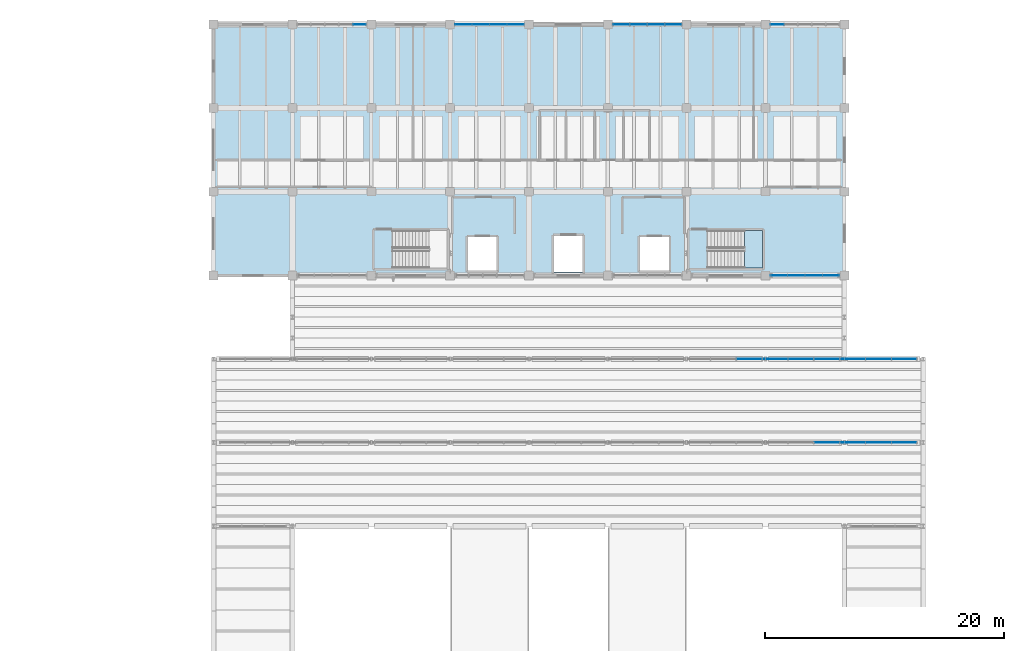
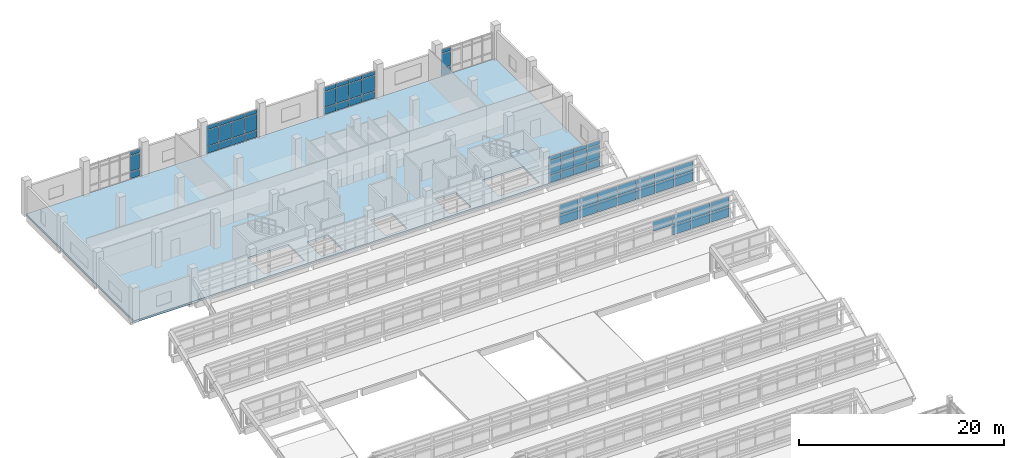
# One storey, part 74 of 92: 63 plates, 2 slabs, 8 elements without a shape of their own.
"""IFC4 building model written with IfcOpenShell, lengths in metres."""

from ifc_helpers import new_model, si_unit, direction, frame, origin, origin_2d, place, context, subcontext, project, spatial, polyline, rectangle, outline, extrude, material, layer, layer_set, type_object, element, aggregate, save


model = new_model("IFC4")

# Units and contexts
model_context = context("Model", 3, precision=1e-05, world=origin(), true_north=direction((0.0, 1.0)))
body_context = subcontext(model_context, "Body", "Model", "MODEL_VIEW")
ifc_project = project(units=[si_unit("LENGTHUNIT", "METRE"), si_unit("AREAUNIT", "SQUARE_METRE"), si_unit("VOLUMEUNIT", "CUBIC_METRE"), si_unit("PLANEANGLEUNIT", "RADIAN"), si_unit("MASSUNIT", "GRAM", prefix="KILO")], contexts=[model_context])

# Site, building, storey
site_placement = place(None, origin())
site = spatial("IfcSite", under=ifc_project, at=site_placement, CompositionType="ELEMENT")
building_placement = place(site_placement, origin())
building = spatial("IfcBuilding", under=site, at=building_placement, Name="Ciguamira Faculty of Natural Sciences", CompositionType="ELEMENT")
storey_placement = place(building_placement, frame((0.0, 0.0, 16.800048828125)))
storey = spatial("IfcBuildingStorey", under=building, at=storey_placement, Name="L04", CompositionType="ELEMENT", Elevation=16.800048828125)

# Curtain wall, plates
ifc_material_1 = material(Name="Anodized aluminium curtain wall", Category="aluminium")
curtain_wall_type_1 = type_object("IfcCurtainWallType", Name="CurtainWall_CW-05", PredefinedType="USERDEFINED", material=ifc_material_1)
curtain_wall_1_placement = place(storey_placement, origin())
curtain_wall_1 = element("IfcCurtainWall", 1, at=curtain_wall_1_placement, inside=storey, type_object=curtain_wall_type_1, Name="L04 unitised curtain wall 0125", ObjectType="UNITISED CURTAIN WALL", PredefinedType="USERDEFINED")
ifc_material_2 = material(Name="Low-E laminated solar glass", Category="glass")
ifc_layer_1 = layer(ifc_material_2, 0.028076171875, Name="Low-E laminated solar glass")
ifc_layer_set_1 = layer_set([ifc_layer_1], Name="Low-E laminated solar glass")
plate_type_1 = type_object("IfcPlateType", Name="CWPanel_CWP-01", PredefinedType="CURTAIN_PANEL", material=ifc_layer_set_1)
plate_1_placement = place(storey_placement, frame((104.623779296875, 94.0, 0.070068359375), z_axis=(0.0, 0.0, 1.0), x_axis=(1.0, 0.0, 0.0)))
plate_1 = element("IfcPlate", 2, at=plate_1_placement, type_object=plate_type_1, Name="CW-05 panel 1.1", PredefinedType="CURTAIN_PANEL", context=body_context, shape_type="SweptSolid", body=[
    extrude(rectangle(XDim=1.357421875, YDim=0.028076171875, at=origin_2d()), origin(), (0.0, 0.0, 1.0), 0.794921875),
])
plate_2_placement = place(storey_placement, frame((104.623779296875, 94.0, 0.93505859375), z_axis=(0.0, 0.0, 1.0), x_axis=(1.0, 0.0, 0.0)))
plate_2 = element("IfcPlate", 3, at=plate_2_placement, type_object=plate_type_1, Name="CW-05 panel 1.2", PredefinedType="CURTAIN_PANEL", context=body_context, shape_type="SweptSolid", body=[
    extrude(rectangle(XDim=1.357421875, YDim=0.028076171875, at=origin_2d()), origin(), (0.0, 0.0, 1.0), 1.715087890625),
])
plate_3_placement = place(storey_placement, frame((104.623779296875, 94.0, 2.7197265625), z_axis=(0.0, 0.0, 1.0), x_axis=(1.0, 0.0, 0.0)))
plate_3 = element("IfcPlate", 4, at=plate_3_placement, type_object=plate_type_1, Name="CW-05 panel 1.3", PredefinedType="CURTAIN_PANEL", context=body_context, shape_type="SweptSolid", body=[
    extrude(rectangle(XDim=1.357421875, YDim=0.028076171875, at=origin_2d()), origin(), (0.0, 0.0, 1.0), 0.445068359375),
])
plate_4_placement = place(storey_placement, frame((106.06884765625, 94.0, 0.070068359375), z_axis=(0.0, 0.0, 1.0), x_axis=(1.0, 0.0, 0.0)))
plate_4 = element("IfcPlate", 5, at=plate_4_placement, type_object=plate_type_1, Name="CW-05 panel 2.1", PredefinedType="CURTAIN_PANEL", context=body_context, shape_type="SweptSolid", body=[
    extrude(rectangle(XDim=1.392578125, YDim=0.028076171875, at=origin_2d()), origin(), (0.0, 0.0, 1.0), 0.794921875),
])
plate_5_placement = place(storey_placement, frame((106.06884765625, 94.0, 0.93505859375), z_axis=(0.0, 0.0, 1.0), x_axis=(1.0, 0.0, 0.0)))
plate_5 = element("IfcPlate", 6, at=plate_5_placement, type_object=plate_type_1, Name="CW-05 panel 2.2", PredefinedType="CURTAIN_PANEL", context=body_context, shape_type="SweptSolid", body=[
    extrude(rectangle(XDim=1.392578125, YDim=0.028076171875, at=origin_2d()), origin(), (0.0, 0.0, 1.0), 1.715087890625),
])
plate_6_placement = place(storey_placement, frame((106.06884765625, 94.0, 2.7197265625), z_axis=(0.0, 0.0, 1.0), x_axis=(1.0, 0.0, 0.0)))
plate_6 = element("IfcPlate", 7, at=plate_6_placement, type_object=plate_type_1, Name="CW-05 panel 2.3", PredefinedType="CURTAIN_PANEL", context=body_context, shape_type="SweptSolid", body=[
    extrude(rectangle(XDim=1.392578125, YDim=0.028076171875, at=origin_2d()), origin(), (0.0, 0.0, 1.0), 0.445068359375),
])
plate_7_placement = place(storey_placement, frame((107.53125, 94.0, 0.070068359375), z_axis=(0.0, 0.0, 1.0), x_axis=(1.0, 0.0, 0.0)))
plate_7 = element("IfcPlate", 8, at=plate_7_placement, type_object=plate_type_1, Name="CW-05 panel 3.1", PredefinedType="CURTAIN_PANEL", context=body_context, shape_type="SweptSolid", body=[
    extrude(rectangle(XDim=1.392578125, YDim=0.028076171875, at=origin_2d()), origin(), (0.0, 0.0, 1.0), 0.794921875),
])
plate_8_placement = place(storey_placement, frame((107.53125, 94.0, 0.93505859375), z_axis=(0.0, 0.0, 1.0), x_axis=(1.0, 0.0, 0.0)))
plate_8 = element("IfcPlate", 9, at=plate_8_placement, type_object=plate_type_1, Name="CW-05 panel 3.2", PredefinedType="CURTAIN_PANEL", context=body_context, shape_type="SweptSolid", body=[
    extrude(rectangle(XDim=1.392578125, YDim=0.028076171875, at=origin_2d()), origin(), (0.0, 0.0, 1.0), 1.715087890625),
])
plate_9_placement = place(storey_placement, frame((107.53125, 94.0, 2.7197265625), z_axis=(0.0, 0.0, 1.0), x_axis=(1.0, 0.0, 0.0)))
plate_9 = element("IfcPlate", 10, at=plate_9_placement, type_object=plate_type_1, Name="CW-05 panel 3.3", PredefinedType="CURTAIN_PANEL", context=body_context, shape_type="SweptSolid", body=[
    extrude(rectangle(XDim=1.392578125, YDim=0.028076171875, at=origin_2d()), origin(), (0.0, 0.0, 1.0), 0.445068359375),
])
plate_10_placement = place(storey_placement, frame((108.976318359375, 94.0, 0.070068359375), z_axis=(0.0, 0.0, 1.0), x_axis=(1.0, 0.0, 0.0)))
plate_10 = element("IfcPlate", 11, at=plate_10_placement, type_object=plate_type_1, Name="CW-05 panel 4.1", PredefinedType="CURTAIN_PANEL", context=body_context, shape_type="SweptSolid", body=[
    extrude(rectangle(XDim=1.357421875, YDim=0.028076171875, at=origin_2d()), origin(), (0.0, 0.0, 1.0), 0.794921875),
])
plate_11_placement = place(storey_placement, frame((108.976318359375, 94.0, 0.93505859375), z_axis=(0.0, 0.0, 1.0), x_axis=(1.0, 0.0, 0.0)))
plate_11 = element("IfcPlate", 12, at=plate_11_placement, type_object=plate_type_1, Name="CW-05 panel 4.2", PredefinedType="CURTAIN_PANEL", context=body_context, shape_type="SweptSolid", body=[
    extrude(rectangle(XDim=1.357421875, YDim=0.028076171875, at=origin_2d()), origin(), (0.0, 0.0, 1.0), 1.715087890625),
])
plate_12_placement = place(storey_placement, frame((108.976318359375, 94.0, 2.7197265625), z_axis=(0.0, 0.0, 1.0), x_axis=(1.0, 0.0, 0.0)))
plate_12 = element("IfcPlate", 13, at=plate_12_placement, type_object=plate_type_1, Name="CW-05 panel 4.3", PredefinedType="CURTAIN_PANEL", context=body_context, shape_type="SweptSolid", body=[
    extrude(rectangle(XDim=1.357421875, YDim=0.028076171875, at=origin_2d()), origin(), (0.0, 0.0, 1.0), 0.445068359375),
])
aggregate(curtain_wall_1, [plate_1, plate_2, plate_3, plate_4, plate_5, plate_6, plate_7, plate_8, plate_9, plate_10, plate_11, plate_12])

curtain_wall_type_2 = type_object("IfcCurtainWallType", Name="CurtainWall_CW-07", PredefinedType="USERDEFINED", material=ifc_material_1)
curtain_wall_2_placement = place(storey_placement, origin())
curtain_wall_2 = element("IfcCurtainWall", 14, at=curtain_wall_2_placement, inside=storey, type_object=curtain_wall_type_2, Name="L04 unitised curtain wall 0127", ObjectType="UNITISED CURTAIN WALL", PredefinedType="USERDEFINED")
plate_13_placement = place(storey_placement, frame((78.22119140625, 115.0, 0.059814453125), z_axis=(0.0, 0.0, 1.0), x_axis=(1.0, 0.0, 0.0)))
plate_13 = element("IfcPlate", 15, at=plate_13_placement, type_object=plate_type_1, Name="CW-07 panel 1.1", PredefinedType="CURTAIN_PANEL", context=body_context, shape_type="SweptSolid", body=[
    extrude(rectangle(XDim=1.37255859375, YDim=0.028076171875, at=origin_2d()), origin(), (0.0, 0.0, 1.0), 0.81005859375),
])
plate_14_placement = place(storey_placement, frame((78.22119140625, 115.0, 0.929931640625), z_axis=(0.0, 0.0, 1.0), x_axis=(1.0, 0.0, 0.0)))
plate_14 = element("IfcPlate", 16, at=plate_14_placement, type_object=plate_type_1, Name="CW-07 panel 1.2", PredefinedType="CURTAIN_PANEL", context=body_context, shape_type="SweptSolid", body=[
    extrude(rectangle(XDim=1.37255859375, YDim=0.028076171875, at=origin_2d()), origin(), (0.0, 0.0, 1.0), 1.875),
])
plate_15_placement = place(storey_placement, frame((78.22119140625, 115.0, 2.864990234375), z_axis=(0.0, 0.0, 1.0), x_axis=(1.0, 0.0, 0.0)))
plate_15 = element("IfcPlate", 17, at=plate_15_placement, type_object=plate_type_1, Name="CW-07 panel 1.3", PredefinedType="CURTAIN_PANEL", context=body_context, shape_type="SweptSolid", body=[
    extrude(rectangle(XDim=1.37255859375, YDim=0.028076171875, at=origin_2d()), origin(), (0.0, 0.0, 1.0), 0.4599609375),
])
plate_16_placement = place(storey_placement, frame((79.668701171875, 115.0, 0.059814453125), z_axis=(0.0, 0.0, 1.0), x_axis=(1.0, 0.0, 0.0)))
plate_16 = element("IfcPlate", 18, at=plate_16_placement, type_object=plate_type_1, Name="CW-07 panel 2.1", PredefinedType="CURTAIN_PANEL", context=body_context, shape_type="SweptSolid", body=[
    extrude(rectangle(XDim=1.402587890625, YDim=0.028076171875, at=origin_2d()), origin(), (0.0, 0.0, 1.0), 0.81005859375),
])
plate_17_placement = place(storey_placement, frame((79.668701171875, 115.0, 0.929931640625), z_axis=(0.0, 0.0, 1.0), x_axis=(1.0, 0.0, 0.0)))
plate_17 = element("IfcPlate", 19, at=plate_17_placement, type_object=plate_type_1, Name="CW-07 panel 2.2", PredefinedType="CURTAIN_PANEL", context=body_context, shape_type="SweptSolid", body=[
    extrude(rectangle(XDim=1.402587890625, YDim=0.028076171875, at=origin_2d()), origin(), (0.0, 0.0, 1.0), 1.875),
])
plate_18_placement = place(storey_placement, frame((79.668701171875, 115.0, 2.864990234375), z_axis=(0.0, 0.0, 1.0), x_axis=(1.0, 0.0, 0.0)))
plate_18 = element("IfcPlate", 20, at=plate_18_placement, type_object=plate_type_1, Name="CW-07 panel 2.3", PredefinedType="CURTAIN_PANEL", context=body_context, shape_type="SweptSolid", body=[
    extrude(rectangle(XDim=1.402587890625, YDim=0.028076171875, at=origin_2d()), origin(), (0.0, 0.0, 1.0), 0.4599609375),
])
plate_19_placement = place(storey_placement, frame((81.13134765625, 115.0, 0.059814453125), z_axis=(0.0, 0.0, 1.0), x_axis=(1.0, 0.0, 0.0)))
plate_19 = element("IfcPlate", 21, at=plate_19_placement, type_object=plate_type_1, Name="CW-07 panel 3.1", PredefinedType="CURTAIN_PANEL", context=body_context, shape_type="SweptSolid", body=[
    extrude(rectangle(XDim=1.402587890625, YDim=0.028076171875, at=origin_2d()), origin(), (0.0, 0.0, 1.0), 0.81005859375),
])
plate_20_placement = place(storey_placement, frame((81.13134765625, 115.0, 0.929931640625), z_axis=(0.0, 0.0, 1.0), x_axis=(1.0, 0.0, 0.0)))
plate_20 = element("IfcPlate", 22, at=plate_20_placement, type_object=plate_type_1, Name="CW-07 panel 3.2", PredefinedType="CURTAIN_PANEL", context=body_context, shape_type="SweptSolid", body=[
    extrude(rectangle(XDim=1.402587890625, YDim=0.028076171875, at=origin_2d()), origin(), (0.0, 0.0, 1.0), 1.875),
])
plate_21_placement = place(storey_placement, frame((81.13134765625, 115.0, 2.864990234375), z_axis=(0.0, 0.0, 1.0), x_axis=(1.0, 0.0, 0.0)))
plate_21 = element("IfcPlate", 23, at=plate_21_placement, type_object=plate_type_1, Name="CW-07 panel 3.3", PredefinedType="CURTAIN_PANEL", context=body_context, shape_type="SweptSolid", body=[
    extrude(rectangle(XDim=1.402587890625, YDim=0.028076171875, at=origin_2d()), origin(), (0.0, 0.0, 1.0), 0.4599609375),
])
plate_22_placement = place(storey_placement, frame((82.578857421875, 115.0, 0.059814453125), z_axis=(0.0, 0.0, 1.0), x_axis=(1.0, 0.0, 0.0)))
plate_22 = element("IfcPlate", 24, at=plate_22_placement, type_object=plate_type_1, Name="CW-07 panel 4.1", PredefinedType="CURTAIN_PANEL", context=body_context, shape_type="SweptSolid", body=[
    extrude(rectangle(XDim=1.37255859375, YDim=0.028076171875, at=origin_2d()), origin(), (0.0, 0.0, 1.0), 0.81005859375),
])
plate_23_placement = place(storey_placement, frame((82.578857421875, 115.0, 0.929931640625), z_axis=(0.0, 0.0, 1.0), x_axis=(1.0, 0.0, 0.0)))
plate_23 = element("IfcPlate", 25, at=plate_23_placement, type_object=plate_type_1, Name="CW-07 panel 4.2", PredefinedType="CURTAIN_PANEL", context=body_context, shape_type="SweptSolid", body=[
    extrude(rectangle(XDim=1.37255859375, YDim=0.028076171875, at=origin_2d()), origin(), (0.0, 0.0, 1.0), 1.875),
])
plate_24_placement = place(storey_placement, frame((82.578857421875, 115.0, 2.864990234375), z_axis=(0.0, 0.0, 1.0), x_axis=(1.0, 0.0, 0.0)))
plate_24 = element("IfcPlate", 26, at=plate_24_placement, type_object=plate_type_1, Name="CW-07 panel 4.3", PredefinedType="CURTAIN_PANEL", context=body_context, shape_type="SweptSolid", body=[
    extrude(rectangle(XDim=1.37255859375, YDim=0.028076171875, at=origin_2d()), origin(), (0.0, 0.0, 1.0), 0.4599609375),
])
aggregate(curtain_wall_2, [plate_13, plate_14, plate_15, plate_16, plate_17, plate_18, plate_19, plate_20, plate_21, plate_22, plate_23, plate_24])

curtain_wall_type_3 = type_object("IfcCurtainWallType", Name="CurtainWall_CW-09", PredefinedType="USERDEFINED", material=ifc_material_1)
curtain_wall_3_placement = place(storey_placement, origin())
curtain_wall_3 = element("IfcCurtainWall", 27, at=curtain_wall_3_placement, inside=storey, type_object=curtain_wall_type_3, Name="L04 unitised curtain wall 0129", ObjectType="UNITISED CURTAIN WALL", PredefinedType="USERDEFINED")
plate_25_placement = place(storey_placement, frame((104.47998046875, 115.0, 0.080078125), z_axis=(0.0, 0.0, 1.0), x_axis=(1.0, 0.0, 0.0)))
plate_25 = element("IfcPlate", 28, at=plate_25_placement, type_object=plate_type_1, Name="CW-09 panel 1.1", PredefinedType="CURTAIN_PANEL", context=body_context, shape_type="SweptSolid", body=[
    extrude(rectangle(XDim=1.050048828125, YDim=0.028076171875, at=origin_2d()), origin(), (0.0, 0.0, 1.0), 0.780029296875),
])
plate_26_placement = place(storey_placement, frame((104.47998046875, 115.0, 0.93994140625), z_axis=(0.0, 0.0, 1.0), x_axis=(1.0, 0.0, 0.0)))
plate_26 = element("IfcPlate", 29, at=plate_26_placement, type_object=plate_type_1, Name="CW-09 panel 1.2", PredefinedType="CURTAIN_PANEL", context=body_context, shape_type="SweptSolid", body=[
    extrude(rectangle(XDim=1.050048828125, YDim=0.028076171875, at=origin_2d()), origin(), (0.0, 0.0, 1.0), 1.705078125),
])
plate_27_placement = place(storey_placement, frame((104.47998046875, 115.0, 2.72509765625), z_axis=(0.0, 0.0, 1.0), x_axis=(1.0, 0.0, 0.0)))
plate_27 = element("IfcPlate", 30, at=plate_27_placement, type_object=plate_type_1, Name="CW-09 panel 1.3", PredefinedType="CURTAIN_PANEL", context=body_context, shape_type="SweptSolid", body=[
    extrude(rectangle(XDim=1.050048828125, YDim=0.028076171875, at=origin_2d()), origin(), (0.0, 0.0, 1.0), 0.429931640625),
])
aggregate(curtain_wall_3, [plate_25, plate_26, plate_27])

curtain_wall_type_4 = type_object("IfcCurtainWallType", Name="CurtainWall_CW-06", PredefinedType="USERDEFINED", material=ifc_material_1)
curtain_wall_4_placement = place(storey_placement, origin())
curtain_wall_4 = element("IfcCurtainWall", 31, at=curtain_wall_4_placement, inside=storey, type_object=curtain_wall_type_4, Name="L04 unitised curtain wall 0126", ObjectType="UNITISED CURTAIN WALL", PredefinedType="USERDEFINED")
ifc_layer_2 = layer(ifc_material_2, 0.035888671875, Name="Low-E laminated solar glass")
ifc_layer_set_2 = layer_set([ifc_layer_2], Name="Low-E laminated solar glass")
plate_type_2 = type_object("IfcPlateType", Name="CWPanel_CWP-02", PredefinedType="CURTAIN_PANEL", material=ifc_layer_set_2)
plate_28_placement = place(storey_placement, frame((69.52001953125, 115.0, 0.080078125), z_axis=(0.0, 0.0, 1.0), x_axis=(1.0, 0.0, 0.0)))
plate_28 = element("IfcPlate", 32, at=plate_28_placement, type_object=plate_type_2, Name="CW-06 panel 5.1", PredefinedType="CURTAIN_PANEL", context=body_context, shape_type="SweptSolid", body=[
    extrude(rectangle(XDim=1.050048828125, YDim=0.035888671875, at=origin_2d()), origin(), (0.0, 0.0, 1.0), 0.780029296875),
])
plate_29_placement = place(storey_placement, frame((69.52001953125, 115.0, 0.93994140625), z_axis=(0.0, 0.0, 1.0), x_axis=(1.0, 0.0, 0.0)))
plate_29 = element("IfcPlate", 33, at=plate_29_placement, type_object=plate_type_2, Name="CW-06 panel 5.2", PredefinedType="CURTAIN_PANEL", context=body_context, shape_type="SweptSolid", body=[
    extrude(rectangle(XDim=1.050048828125, YDim=0.035888671875, at=origin_2d()), origin(), (0.0, 0.0, 1.0), 1.8349609375),
])
plate_30_placement = place(storey_placement, frame((69.52001953125, 115.0, 2.85498046875), z_axis=(0.0, 0.0, 1.0), x_axis=(1.0, 0.0, 0.0)))
plate_30 = element("IfcPlate", 34, at=plate_30_placement, type_object=plate_type_2, Name="CW-06 panel 5.3", PredefinedType="CURTAIN_PANEL", context=body_context, shape_type="SweptSolid", body=[
    extrude(rectangle(XDim=1.050048828125, YDim=0.035888671875, at=origin_2d()), origin(), (0.0, 0.0, 1.0), 0.429931640625),
])
aggregate(curtain_wall_4, [plate_28, plate_29, plate_30])

curtain_wall_type_5 = type_object("IfcCurtainWallType", Name="CurtainWall_CW-08", PredefinedType="USERDEFINED", material=ifc_material_1)
curtain_wall_5_placement = place(storey_placement, origin())
curtain_wall_5 = element("IfcCurtainWall", 35, at=curtain_wall_5_placement, inside=storey, type_object=curtain_wall_type_5, Name="L04 unitised curtain wall 0128", ObjectType="UNITISED CURTAIN WALL", PredefinedType="USERDEFINED")
plate_31_placement = place(storey_placement, frame((91.423828125, 115.0, 0.070068359375), z_axis=(0.0, 0.0, 1.0), x_axis=(1.0, 0.0, 0.0)))
plate_31 = element("IfcPlate", 36, at=plate_31_placement, type_object=plate_type_2, Name="CW-08 panel 1.1", PredefinedType="CURTAIN_PANEL", context=body_context, shape_type="SweptSolid", body=[
    extrude(rectangle(XDim=1.357421875, YDim=0.035888671875, at=origin_2d()), origin(), (0.0, 0.0, 1.0), 0.794921875),
])
plate_32_placement = place(storey_placement, frame((91.423828125, 115.0, 0.93505859375), z_axis=(0.0, 0.0, 1.0), x_axis=(1.0, 0.0, 0.0)))
plate_32 = element("IfcPlate", 37, at=plate_32_placement, type_object=plate_type_2, Name="CW-08 panel 1.2", PredefinedType="CURTAIN_PANEL", context=body_context, shape_type="SweptSolid", body=[
    extrude(rectangle(XDim=1.357421875, YDim=0.035888671875, at=origin_2d()), origin(), (0.0, 0.0, 1.0), 1.824951171875),
])
plate_33_placement = place(storey_placement, frame((91.423828125, 115.0, 2.830078125), z_axis=(0.0, 0.0, 1.0), x_axis=(1.0, 0.0, 0.0)))
plate_33 = element("IfcPlate", 38, at=plate_33_placement, type_object=plate_type_2, Name="CW-08 panel 1.3", PredefinedType="CURTAIN_PANEL", context=body_context, shape_type="SweptSolid", body=[
    extrude(rectangle(XDim=1.357421875, YDim=0.035888671875, at=origin_2d()), origin(), (0.0, 0.0, 1.0), 0.445068359375),
])
plate_34_placement = place(storey_placement, frame((92.86865234375, 115.0, 0.070068359375), z_axis=(0.0, 0.0, 1.0), x_axis=(1.0, 0.0, 0.0)))
plate_34 = element("IfcPlate", 39, at=plate_34_placement, type_object=plate_type_2, Name="CW-08 panel 2.1", PredefinedType="CURTAIN_PANEL", context=body_context, shape_type="SweptSolid", body=[
    extrude(rectangle(XDim=1.392578125, YDim=0.035888671875, at=origin_2d()), origin(), (0.0, 0.0, 1.0), 0.794921875),
])
plate_35_placement = place(storey_placement, frame((92.86865234375, 115.0, 0.93505859375), z_axis=(0.0, 0.0, 1.0), x_axis=(1.0, 0.0, 0.0)))
plate_35 = element("IfcPlate", 40, at=plate_35_placement, type_object=plate_type_2, Name="CW-08 panel 2.2", PredefinedType="CURTAIN_PANEL", context=body_context, shape_type="SweptSolid", body=[
    extrude(rectangle(XDim=1.392578125, YDim=0.035888671875, at=origin_2d()), origin(), (0.0, 0.0, 1.0), 1.824951171875),
])
plate_36_placement = place(storey_placement, frame((92.86865234375, 115.0, 2.830078125), z_axis=(0.0, 0.0, 1.0), x_axis=(1.0, 0.0, 0.0)))
plate_36 = element("IfcPlate", 41, at=plate_36_placement, type_object=plate_type_2, Name="CW-08 panel 2.3", PredefinedType="CURTAIN_PANEL", context=body_context, shape_type="SweptSolid", body=[
    extrude(rectangle(XDim=1.392578125, YDim=0.035888671875, at=origin_2d()), origin(), (0.0, 0.0, 1.0), 0.445068359375),
])
plate_37_placement = place(storey_placement, frame((94.331298828125, 115.0, 0.070068359375), z_axis=(0.0, 0.0, 1.0), x_axis=(1.0, 0.0, 0.0)))
plate_37 = element("IfcPlate", 42, at=plate_37_placement, type_object=plate_type_2, Name="CW-08 panel 3.1", PredefinedType="CURTAIN_PANEL", context=body_context, shape_type="SweptSolid", body=[
    extrude(rectangle(XDim=1.392578125, YDim=0.035888671875, at=origin_2d()), origin(), (0.0, 0.0, 1.0), 0.794921875),
])
plate_38_placement = place(storey_placement, frame((94.331298828125, 115.0, 0.93505859375), z_axis=(0.0, 0.0, 1.0), x_axis=(1.0, 0.0, 0.0)))
plate_38 = element("IfcPlate", 43, at=plate_38_placement, type_object=plate_type_2, Name="CW-08 panel 3.2", PredefinedType="CURTAIN_PANEL", context=body_context, shape_type="SweptSolid", body=[
    extrude(rectangle(XDim=1.392578125, YDim=0.035888671875, at=origin_2d()), origin(), (0.0, 0.0, 1.0), 1.824951171875),
])
plate_39_placement = place(storey_placement, frame((94.331298828125, 115.0, 2.830078125), z_axis=(0.0, 0.0, 1.0), x_axis=(1.0, 0.0, 0.0)))
plate_39 = element("IfcPlate", 44, at=plate_39_placement, type_object=plate_type_2, Name="CW-08 panel 3.3", PredefinedType="CURTAIN_PANEL", context=body_context, shape_type="SweptSolid", body=[
    extrude(rectangle(XDim=1.392578125, YDim=0.035888671875, at=origin_2d()), origin(), (0.0, 0.0, 1.0), 0.445068359375),
])
plate_40_placement = place(storey_placement, frame((95.7763671875, 115.0, 0.070068359375), z_axis=(0.0, 0.0, 1.0), x_axis=(1.0, 0.0, 0.0)))
plate_40 = element("IfcPlate", 45, at=plate_40_placement, type_object=plate_type_2, Name="CW-08 panel 4.1", PredefinedType="CURTAIN_PANEL", context=body_context, shape_type="SweptSolid", body=[
    extrude(rectangle(XDim=1.357421875, YDim=0.035888671875, at=origin_2d()), origin(), (0.0, 0.0, 1.0), 0.794921875),
])
plate_41_placement = place(storey_placement, frame((95.7763671875, 115.0, 0.93505859375), z_axis=(0.0, 0.0, 1.0), x_axis=(1.0, 0.0, 0.0)))
plate_41 = element("IfcPlate", 46, at=plate_41_placement, type_object=plate_type_2, Name="CW-08 panel 4.2", PredefinedType="CURTAIN_PANEL", context=body_context, shape_type="SweptSolid", body=[
    extrude(rectangle(XDim=1.357421875, YDim=0.035888671875, at=origin_2d()), origin(), (0.0, 0.0, 1.0), 1.824951171875),
])
plate_42_placement = place(storey_placement, frame((95.7763671875, 115.0, 2.830078125), z_axis=(0.0, 0.0, 1.0), x_axis=(1.0, 0.0, 0.0)))
plate_42 = element("IfcPlate", 47, at=plate_42_placement, type_object=plate_type_2, Name="CW-08 panel 4.3", PredefinedType="CURTAIN_PANEL", context=body_context, shape_type="SweptSolid", body=[
    extrude(rectangle(XDim=1.357421875, YDim=0.035888671875, at=origin_2d()), origin(), (0.0, 0.0, 1.0), 0.445068359375),
])
aggregate(curtain_wall_5, [plate_31, plate_32, plate_33, plate_34, plate_35, plate_36, plate_37, plate_38, plate_39, plate_40, plate_41, plate_42])

curtain_wall_6_placement = place(storey_placement, origin())
curtain_wall_6 = element("IfcCurtainWall", 48, at=curtain_wall_6_placement, inside=storey, type_object=curtain_wall_type_2, Name="V4 north-light wave 5 clerestory glazing 1", ObjectType="UNITISED CURTAIN WALL", PredefinedType="USERDEFINED")
plate_43_placement = place(storey_placement, frame((108.629638671875, 80.0, 1.534912109375), z_axis=(0.0, 0.0, 1.0), x_axis=(1.0, 0.0, 0.0)))
plate_43 = element("IfcPlate", 49, at=plate_43_placement, type_object=plate_type_2, Name="CW-07 panel 24.2", PredefinedType="CURTAIN_PANEL", context=body_context, shape_type="SweptSolid", body=[
    extrude(rectangle(XDim=2.093017578125, YDim=0.035888671875, at=origin_2d()), origin(), (0.0, 0.0, 1.0), 1.14501953125),
])
plate_44_placement = place(storey_placement, frame((110.79248046875, 80.0, 0.31982421875), z_axis=(0.0, 0.0, 1.0), x_axis=(1.0, 0.0, 0.0)))
plate_44 = element("IfcPlate", 50, at=plate_44_placement, type_object=plate_type_2, Name="CW-07 panel 25.1", PredefinedType="CURTAIN_PANEL", context=body_context, shape_type="SweptSolid", body=[
    extrude(rectangle(XDim=2.093017578125, YDim=0.035888671875, at=origin_2d()), origin(), (0.0, 0.0, 1.0), 1.14501953125),
])
plate_45_placement = place(storey_placement, frame((110.79248046875, 80.0, 1.534912109375), z_axis=(0.0, 0.0, 1.0), x_axis=(1.0, 0.0, 0.0)))
plate_45 = element("IfcPlate", 51, at=plate_45_placement, type_object=plate_type_2, Name="CW-07 panel 25.2", PredefinedType="CURTAIN_PANEL", context=body_context, shape_type="SweptSolid", body=[
    extrude(rectangle(XDim=2.093017578125, YDim=0.035888671875, at=origin_2d()), origin(), (0.0, 0.0, 1.0), 1.14501953125),
])
plate_46_placement = place(storey_placement, frame((112.95556640625, 80.0, 0.31982421875), z_axis=(0.0, 0.0, 1.0), x_axis=(1.0, 0.0, 0.0)))
plate_46 = element("IfcPlate", 52, at=plate_46_placement, type_object=plate_type_2, Name="CW-07 panel 26.1", PredefinedType="CURTAIN_PANEL", context=body_context, shape_type="SweptSolid", body=[
    extrude(rectangle(XDim=2.093017578125, YDim=0.035888671875, at=origin_2d()), origin(), (0.0, 0.0, 1.0), 1.14501953125),
])
plate_47_placement = place(storey_placement, frame((112.95556640625, 80.0, 1.534912109375), z_axis=(0.0, 0.0, 1.0), x_axis=(1.0, 0.0, 0.0)))
plate_47 = element("IfcPlate", 53, at=plate_47_placement, type_object=plate_type_2, Name="CW-07 panel 26.2", PredefinedType="CURTAIN_PANEL", context=body_context, shape_type="SweptSolid", body=[
    extrude(rectangle(XDim=2.093017578125, YDim=0.035888671875, at=origin_2d()), origin(), (0.0, 0.0, 1.0), 1.14501953125),
])
plate_48_placement = place(storey_placement, frame((115.10107421875, 80.0, 0.31982421875), z_axis=(0.0, 0.0, 1.0), x_axis=(1.0, 0.0, 0.0)))
plate_48 = element("IfcPlate", 54, at=plate_48_placement, type_object=plate_type_2, Name="CW-07 panel 27.1", PredefinedType="CURTAIN_PANEL", context=body_context, shape_type="SweptSolid", body=[
    extrude(rectangle(XDim=2.057861328125, YDim=0.035888671875, at=origin_2d()), origin(), (0.0, 0.0, 1.0), 1.14501953125),
])
plate_49_placement = place(storey_placement, frame((115.10107421875, 80.0, 1.534912109375), z_axis=(0.0, 0.0, 1.0), x_axis=(1.0, 0.0, 0.0)))
plate_49 = element("IfcPlate", 55, at=plate_49_placement, type_object=plate_type_2, Name="CW-07 panel 27.2", PredefinedType="CURTAIN_PANEL", context=body_context, shape_type="SweptSolid", body=[
    extrude(rectangle(XDim=2.057861328125, YDim=0.035888671875, at=origin_2d()), origin(), (0.0, 0.0, 1.0), 1.14501953125),
])
aggregate(curtain_wall_6, [plate_43, plate_44, plate_45, plate_46, plate_47, plate_48, plate_49])

curtain_wall_7_placement = place(storey_placement, origin())
curtain_wall_7 = element("IfcCurtainWall", 56, at=curtain_wall_7_placement, inside=storey, type_object=curtain_wall_type_5, Name="V4 north-light wave 6 clerestory glazing 1", ObjectType="UNITISED CURTAIN WALL", PredefinedType="USERDEFINED")
plate_50_placement = place(storey_placement, frame((102.140625, 87.0, 0.31982421875), z_axis=(0.0, 0.0, 1.0), x_axis=(1.0, 0.0, 0.0)))
plate_50 = element("IfcPlate", 57, at=plate_50_placement, type_object=plate_type_2, Name="CW-08 panel 21.1", PredefinedType="CURTAIN_PANEL", context=body_context, shape_type="SweptSolid", body=[
    extrude(rectangle(XDim=2.093017578125, YDim=0.035888671875, at=origin_2d()), origin(), (0.0, 0.0, 1.0), 1.14501953125),
])
plate_51_placement = place(storey_placement, frame((102.140625, 87.0, 1.534912109375), z_axis=(0.0, 0.0, 1.0), x_axis=(1.0, 0.0, 0.0)))
plate_51 = element("IfcPlate", 58, at=plate_51_placement, type_object=plate_type_2, Name="CW-08 panel 21.2", PredefinedType="CURTAIN_PANEL", context=body_context, shape_type="SweptSolid", body=[
    extrude(rectangle(XDim=2.093017578125, YDim=0.035888671875, at=origin_2d()), origin(), (0.0, 0.0, 1.0), 1.14501953125),
])
plate_52_placement = place(storey_placement, frame((104.3037109375, 87.0, 0.31982421875), z_axis=(0.0, 0.0, 1.0), x_axis=(1.0, 0.0, 0.0)))
plate_52 = element("IfcPlate", 59, at=plate_52_placement, type_object=plate_type_2, Name="CW-08 panel 22.1", PredefinedType="CURTAIN_PANEL", context=body_context, shape_type="SweptSolid", body=[
    extrude(rectangle(XDim=2.093017578125, YDim=0.035888671875, at=origin_2d()), origin(), (0.0, 0.0, 1.0), 1.14501953125),
])
plate_53_placement = place(storey_placement, frame((104.3037109375, 87.0, 1.534912109375), z_axis=(0.0, 0.0, 1.0), x_axis=(1.0, 0.0, 0.0)))
plate_53 = element("IfcPlate", 60, at=plate_53_placement, type_object=plate_type_2, Name="CW-08 panel 22.2", PredefinedType="CURTAIN_PANEL", context=body_context, shape_type="SweptSolid", body=[
    extrude(rectangle(XDim=2.093017578125, YDim=0.035888671875, at=origin_2d()), origin(), (0.0, 0.0, 1.0), 1.14501953125),
])
plate_54_placement = place(storey_placement, frame((106.466552734375, 87.0, 0.31982421875), z_axis=(0.0, 0.0, 1.0), x_axis=(1.0, 0.0, 0.0)))
plate_54 = element("IfcPlate", 61, at=plate_54_placement, type_object=plate_type_2, Name="CW-08 panel 23.1", PredefinedType="CURTAIN_PANEL", context=body_context, shape_type="SweptSolid", body=[
    extrude(rectangle(XDim=2.093017578125, YDim=0.035888671875, at=origin_2d()), origin(), (0.0, 0.0, 1.0), 1.14501953125),
])
plate_55_placement = place(storey_placement, frame((106.466552734375, 87.0, 1.534912109375), z_axis=(0.0, 0.0, 1.0), x_axis=(1.0, 0.0, 0.0)))
plate_55 = element("IfcPlate", 62, at=plate_55_placement, type_object=plate_type_2, Name="CW-08 panel 23.2", PredefinedType="CURTAIN_PANEL", context=body_context, shape_type="SweptSolid", body=[
    extrude(rectangle(XDim=2.093017578125, YDim=0.035888671875, at=origin_2d()), origin(), (0.0, 0.0, 1.0), 1.14501953125),
])
plate_56_placement = place(storey_placement, frame((108.629638671875, 87.0, 0.31982421875), z_axis=(0.0, 0.0, 1.0), x_axis=(1.0, 0.0, 0.0)))
plate_56 = element("IfcPlate", 63, at=plate_56_placement, type_object=plate_type_2, Name="CW-08 panel 24.1", PredefinedType="CURTAIN_PANEL", context=body_context, shape_type="SweptSolid", body=[
    extrude(rectangle(XDim=2.093017578125, YDim=0.035888671875, at=origin_2d()), origin(), (0.0, 0.0, 1.0), 1.14501953125),
])
plate_57_placement = place(storey_placement, frame((108.629638671875, 87.0, 1.534912109375), z_axis=(0.0, 0.0, 1.0), x_axis=(1.0, 0.0, 0.0)))
plate_57 = element("IfcPlate", 64, at=plate_57_placement, type_object=plate_type_2, Name="CW-08 panel 24.2", PredefinedType="CURTAIN_PANEL", context=body_context, shape_type="SweptSolid", body=[
    extrude(rectangle(XDim=2.093017578125, YDim=0.035888671875, at=origin_2d()), origin(), (0.0, 0.0, 1.0), 1.14501953125),
])
plate_58_placement = place(storey_placement, frame((110.79248046875, 87.0, 0.31982421875), z_axis=(0.0, 0.0, 1.0), x_axis=(1.0, 0.0, 0.0)))
plate_58 = element("IfcPlate", 65, at=plate_58_placement, type_object=plate_type_2, Name="CW-08 panel 25.1", PredefinedType="CURTAIN_PANEL", context=body_context, shape_type="SweptSolid", body=[
    extrude(rectangle(XDim=2.093017578125, YDim=0.035888671875, at=origin_2d()), origin(), (0.0, 0.0, 1.0), 1.14501953125),
])
plate_59_placement = place(storey_placement, frame((110.79248046875, 87.0, 1.534912109375), z_axis=(0.0, 0.0, 1.0), x_axis=(1.0, 0.0, 0.0)))
plate_59 = element("IfcPlate", 66, at=plate_59_placement, type_object=plate_type_2, Name="CW-08 panel 25.2", PredefinedType="CURTAIN_PANEL", context=body_context, shape_type="SweptSolid", body=[
    extrude(rectangle(XDim=2.093017578125, YDim=0.035888671875, at=origin_2d()), origin(), (0.0, 0.0, 1.0), 1.14501953125),
])
plate_60_placement = place(storey_placement, frame((112.95556640625, 87.0, 0.31982421875), z_axis=(0.0, 0.0, 1.0), x_axis=(1.0, 0.0, 0.0)))
plate_60 = element("IfcPlate", 67, at=plate_60_placement, type_object=plate_type_2, Name="CW-08 panel 26.1", PredefinedType="CURTAIN_PANEL", context=body_context, shape_type="SweptSolid", body=[
    extrude(rectangle(XDim=2.093017578125, YDim=0.035888671875, at=origin_2d()), origin(), (0.0, 0.0, 1.0), 1.14501953125),
])
plate_61_placement = place(storey_placement, frame((112.95556640625, 87.0, 1.534912109375), z_axis=(0.0, 0.0, 1.0), x_axis=(1.0, 0.0, 0.0)))
plate_61 = element("IfcPlate", 68, at=plate_61_placement, type_object=plate_type_2, Name="CW-08 panel 26.2", PredefinedType="CURTAIN_PANEL", context=body_context, shape_type="SweptSolid", body=[
    extrude(rectangle(XDim=2.093017578125, YDim=0.035888671875, at=origin_2d()), origin(), (0.0, 0.0, 1.0), 1.14501953125),
])
plate_62_placement = place(storey_placement, frame((115.10107421875, 87.0, 0.31982421875), z_axis=(0.0, 0.0, 1.0), x_axis=(1.0, 0.0, 0.0)))
plate_62 = element("IfcPlate", 69, at=plate_62_placement, type_object=plate_type_2, Name="CW-08 panel 27.1", PredefinedType="CURTAIN_PANEL", context=body_context, shape_type="SweptSolid", body=[
    extrude(rectangle(XDim=2.057861328125, YDim=0.035888671875, at=origin_2d()), origin(), (0.0, 0.0, 1.0), 1.14501953125),
])
plate_63_placement = place(storey_placement, frame((115.10107421875, 87.0, 1.534912109375), z_axis=(0.0, 0.0, 1.0), x_axis=(1.0, 0.0, 0.0)))
plate_63 = element("IfcPlate", 70, at=plate_63_placement, type_object=plate_type_2, Name="CW-08 panel 27.2", PredefinedType="CURTAIN_PANEL", context=body_context, shape_type="SweptSolid", body=[
    extrude(rectangle(XDim=2.057861328125, YDim=0.035888671875, at=origin_2d()), origin(), (0.0, 0.0, 1.0), 1.14501953125),
])
aggregate(curtain_wall_7, [plate_50, plate_51, plate_52, plate_53, plate_54, plate_55, plate_56, plate_57, plate_58, plate_59, plate_60, plate_61, plate_62, plate_63])

# Slab
ifc_material_3 = material(Name="Concrete C40/50", Category="concrete")
ifc_layer_3 = layer(ifc_material_3, 0.239990234375, Name="Concrete C40/50")
ifc_layer_set_3 = layer_set([ifc_layer_3], Name="Concrete C40/50")
slab_type_1 = type_object("IfcSlabType", Name="Slab_SF-05_240", PredefinedType="FLOOR", material=ifc_layer_set_3)
slab_1_placement = place(storey_placement, frame((0.0, 0.0, -0.239990234375)))
element("IfcSlab", 71, at=slab_1_placement, inside=storey, type_object=slab_type_1, Name="L04 V5 structural slab", PredefinedType="FLOOR", context=body_context, shape_type="SweptSolid", body=[
    extrude(outline(polyline([(57.300048828125, 94.0), (110.10009765625, 94.0), (110.10009765625, 115.0), (57.300048828125, 115.0), (57.300048828125, 94.0)]), holes=[polyline([(72.260009765625, 94.60009765625), (76.85009765625, 94.60009765625), (76.85009765625, 97.760009765625), (72.260009765625, 97.760009765625), (72.260009765625, 94.60009765625)]), polyline([(98.659912109375, 94.60009765625), (103.25, 94.60009765625), (103.25, 97.760009765625), (98.659912109375, 97.760009765625), (98.659912109375, 94.60009765625)]), polyline([(78.60009765625, 94.39990234375), (81.0, 94.39990234375), (81.0, 97.199951171875), (78.60009765625, 97.199951171875), (78.60009765625, 94.39990234375)]), polyline([(93.0, 94.39990234375), (95.39990234375, 94.39990234375), (95.39990234375, 97.199951171875), (93.0, 97.199951171875), (93.0, 94.39990234375)]), polyline([(85.800048828125, 94.300048828125), (88.199951171875, 94.300048828125), (88.199951171875, 97.300048828125), (85.800048828125, 97.300048828125), (85.800048828125, 94.300048828125)])]), origin(), (0.0, 0.0, 1.0), 0.239990234375),
])

# Stair, slab
stair_type = type_object("IfcStairType", Name="Stair_STR-02", PredefinedType="HALF_TURN_STAIR", material=ifc_material_3)
stair_placement = place(storey_placement, origin())
stair = element("IfcStair", 72, at=stair_placement, inside=storey, type_object=stair_type, Name="L04 Tower East Exit Stair", PredefinedType="HALF_TURN_STAIR")
ifc_layer_4 = layer(ifc_material_3, 0.199951171875, Name="Concrete C40/50")
ifc_layer_set_4 = layer_set([ifc_layer_4], Name="Concrete C40/50")
slab_type_2 = type_object("IfcSlabType", Name="StairLanding_SLD01", PredefinedType="LANDING", material=ifc_layer_set_4)
slab_2_placement = place(storey_placement, frame((0.0, 0.0, 1.89990234375)))
slab_2 = element("IfcSlab", 73, at=slab_2_placement, type_object=slab_type_2, Name="ST-T2 landing 1", PredefinedType="LANDING", context=body_context, shape_type="SweptSolid", body=[
    extrude(outline(polyline([(101.739990234375, 94.60009765625), (103.25, 94.60009765625), (103.25, 97.760009765625), (101.739990234375, 97.760009765625), (101.739990234375, 94.60009765625)])), origin(), (0.0, 0.0, 1.0), 0.199951171875),
])
aggregate(stair, [slab_2])

save(model, "model.ifc")
